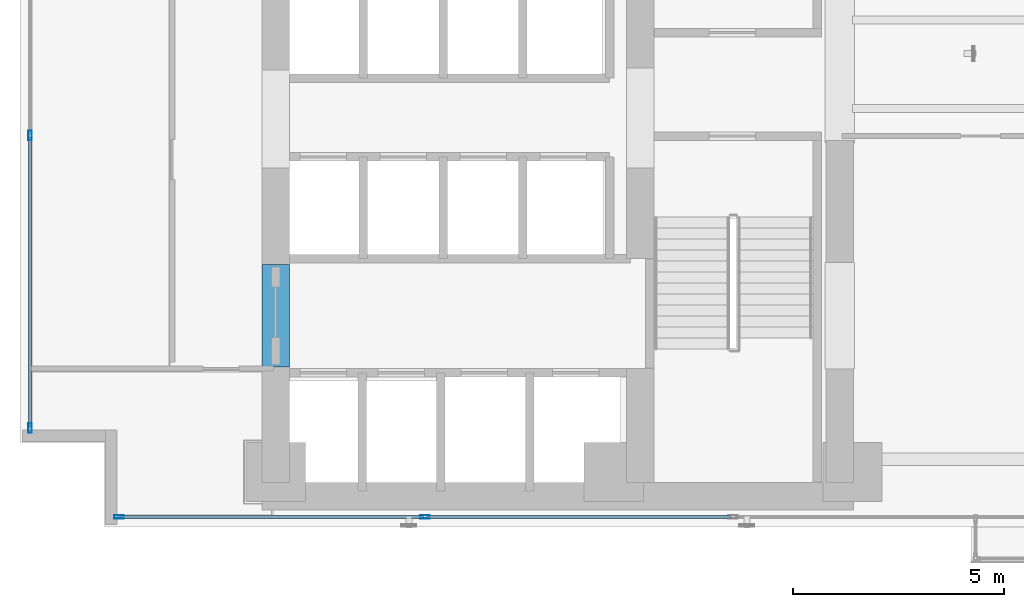
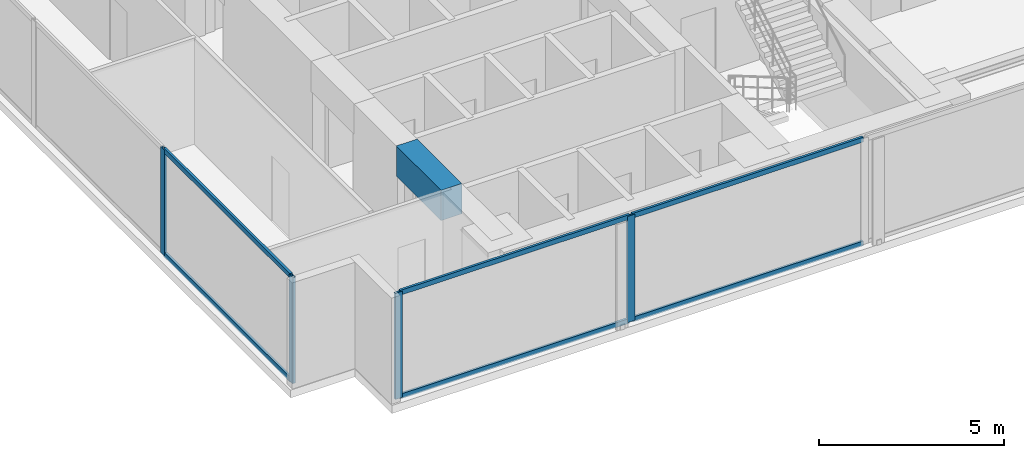
# One storey, part 2 of 25: 10 members, 1 beam, 2 elements without a shape of their own.
"""IFC4 building model written with IfcOpenShell, lengths in metres."""

from ifc_helpers import new_model, si_unit, direction, frame, origin, origin_with_axes, origin_2d, place, context, subcontext, project, spatial, rectangle, hollow_rectangle, extrude, source, transform, mapped, material, layer, layer_set, material_profile, profile_set, type_object, element, aggregate, save


model = new_model("IFC4")

# Units and contexts
model_context = context("Model", 3, precision=1e-05, world=origin(), true_north=direction((0.0, 1.0)))
body_context = subcontext(model_context, "Body", "Model", "MODEL_VIEW")
ifc_project = project(units=[si_unit("LENGTHUNIT", "METRE"), si_unit("AREAUNIT", "SQUARE_METRE"), si_unit("VOLUMEUNIT", "CUBIC_METRE"), si_unit("PLANEANGLEUNIT", "RADIAN"), si_unit("MASSUNIT", "GRAM", prefix="KILO")], contexts=[model_context])

# Site, building, storey
site_placement = place(None, origin())
site = spatial("IfcSite", under=ifc_project, at=site_placement, CompositionType="ELEMENT")
building_placement = place(site_placement, origin())
building = spatial("IfcBuilding", under=site, at=building_placement, Name="Kolvaren Waterfront Exchange", CompositionType="ELEMENT")
storey_placement = place(building_placement, frame((0.0, 0.0, 106.89990234375)))
storey = spatial("IfcBuildingStorey", under=building, at=storey_placement, Name="L27", CompositionType="ELEMENT", Elevation=106.89990234375)

# Beam
ifc_material_1 = material(Name="Concrete C60/75", Category="concrete")
ifc_material_profile_1 = material_profile(ifc_material_1, rectangle(XDim=0.64990234375, YDim=1.0, at=origin_2d()), Name="RC-CB-1000x650")
ifc_profile_set_1 = profile_set([ifc_material_profile_1], Name="Concrete C60/75")
beam_type = type_object("IfcBeamType", Name="STR-CB-1000", PredefinedType="SPANDREL", material=ifc_profile_set_1)
beam_placement = place(storey_placement, frame((7.449951171875, 7.389892578125, 3.0), z_axis=(0.0, 1.0, 0.0), x_axis=(-1.0, 0.0, 0.0)))
element("IfcBeam", 1, at=beam_placement, inside=storey, type_object=beam_type, Name="L27 core coupling beam 3", PredefinedType="SPANDREL", context=body_context, shape_type="SweptSolid", body=[
    extrude(rectangle(XDim=0.64990234375, YDim=1.0, at=origin_2d()), origin(), (0.0, 0.0, 1.0), 2.420166015625),
])

# Curtain wall, members
ifc_material_2 = material(Name="Anodised aluminium 6063-T6", Category="aluminium")
ifc_layer_1 = layer(ifc_material_2, 0.219970703125, Name="Anodised aluminium 6063-T6")
ifc_layer_set_1 = layer_set([ifc_layer_1], Name="Anodised aluminium 6063-T6")
curtain_wall_type_1 = type_object("IfcCurtainWallType", Name="ARC-CW-SYS2", PredefinedType="USERDEFINED", material=ifc_layer_set_1)
curtain_wall_1_placement = place(storey_placement, origin())
curtain_wall_1 = element("IfcCurtainWall", 2, at=curtain_wall_1_placement, inside=storey, type_object=curtain_wall_type_1, Name="L27 stick curtain wall CW2 (CW-L27-W)", ObjectType="STICK CURTAIN WALL", PredefinedType="USERDEFINED")
ifc_material_profile_2 = material_profile(ifc_material_2, hollow_rectangle(XDim=0.074951171875, YDim=0.159912109375, WallThickness=0.00439453125, at=origin_2d()), Name="ALU-TRN-160x75x4.5")
ifc_profile_set_2 = profile_set([ifc_material_profile_2], Name="Anodised aluminium 6063-T6")
member_type_1 = type_object("IfcMemberType", Name="ARC-CWT-160", PredefinedType="USERDEFINED", material=ifc_profile_set_2)
shared_shape_1 = source(origin_with_axes(), body_context, "Body", "SweptSolid", [
    extrude(hollow_rectangle(XDim=0.074951171875, YDim=0.159912109375, WallThickness=0.00439453125, at=origin_2d()), origin(), (0.0, 0.0, 1.0), 6.8466796875),
])
member_1_placement = place(storey_placement, frame((1.639892578125, 5.97998046875, 0.03759765625), z_axis=(0.0, 1.0, 0.0), x_axis=(-1.0, 0.0, 0.0)))
member_1 = element("IfcMember", 3, at=member_1_placement, type_object=member_type_1, Name="CW2 transom 1.1", ObjectType="TRANSOM", PredefinedType="USERDEFINED", context=body_context, shape_type="MappedRepresentation", body=[
    mapped(shared_shape_1, transform((0.0, 0.0, 0.0), x_axis=(1.0, 0.0, 0.0), y_axis=(0.0, 1.0, 0.0), z_axis=(0.0, 0.0, 1.0), scale=1.0)),
])
member_2_placement = place(storey_placement, frame((1.639892578125, 5.97998046875, 3.462646484375), z_axis=(0.0, 1.0, 0.0), x_axis=(-1.0, 0.0, 0.0)))
member_2 = element("IfcMember", 4, at=member_2_placement, type_object=member_type_1, Name="CW2 transom 1.2", ObjectType="TRANSOM", PredefinedType="USERDEFINED", context=body_context, shape_type="MappedRepresentation", body=[
    mapped(shared_shape_1, transform((0.0, 0.0, 0.0), x_axis=(1.0, 0.0, 0.0), y_axis=(0.0, 1.0, 0.0), z_axis=(0.0, 0.0, 1.0), scale=1.0)),
])

ifc_material_3 = material(Name="Anodised bronze aluminium 6063-T6", Category="aluminium")
ifc_layer_2 = layer(ifc_material_3, 0.219970703125, Name="Anodised bronze aluminium 6063-T6")
ifc_layer_set_2 = layer_set([ifc_layer_2], Name="Anodised bronze aluminium 6063-T6")
curtain_wall_type_2 = type_object("IfcCurtainWallType", Name="ARC-CW-SYS1", PredefinedType="USERDEFINED", material=ifc_layer_set_2)
curtain_wall_2_placement = place(storey_placement, origin())
curtain_wall_2 = element("IfcCurtainWall", 5, at=curtain_wall_2_placement, inside=storey, type_object=curtain_wall_type_2, Name="L27 stick curtain wall CW1 (CW-L27-S)", ObjectType="STICK CURTAIN WALL", PredefinedType="USERDEFINED")
shared_shape_2 = source(origin_with_axes(), body_context, "Body", "SweptSolid", [
    extrude(hollow_rectangle(XDim=0.074951171875, YDim=0.159912109375, WallThickness=0.00439453125, at=origin_2d()), origin(), (0.0, 0.0, 1.0), 7.165771484375),
])
member_3_placement = place(storey_placement, frame((3.780029296875, 3.840087890625, 0.03759765625), z_axis=(1.0, 0.0, 0.0), x_axis=(0.0, 1.0, 0.0)))
member_3 = element("IfcMember", 6, at=member_3_placement, type_object=member_type_1, Name="CW1 transom 1.1", ObjectType="TRANSOM", PredefinedType="USERDEFINED", context=body_context, shape_type="MappedRepresentation", body=[
    mapped(shared_shape_2, transform((0.0, 0.0, 0.0), x_axis=(1.0, 0.0, 0.0), y_axis=(0.0, 1.0, 0.0), z_axis=(0.0, 0.0, 1.0), scale=1.0)),
])
member_4_placement = place(storey_placement, frame((3.780029296875, 3.840087890625, 3.462646484375), z_axis=(1.0, 0.0, 0.0), x_axis=(0.0, 1.0, 0.0)))
member_4 = element("IfcMember", 7, at=member_4_placement, type_object=member_type_1, Name="CW1 transom 1.2", ObjectType="TRANSOM", PredefinedType="USERDEFINED", context=body_context, shape_type="MappedRepresentation", body=[
    mapped(shared_shape_2, transform((0.0, 0.0, 0.0), x_axis=(1.0, 0.0, 0.0), y_axis=(0.0, 1.0, 0.0), z_axis=(0.0, 0.0, 1.0), scale=1.0)),
])
shared_shape_3 = source(origin_with_axes(), body_context, "Body", "SweptSolid", [
    extrude(hollow_rectangle(XDim=0.074951171875, YDim=0.159912109375, WallThickness=0.00439453125, at=origin_2d()), origin(), (0.0, 0.0, 1.0), 7.205810546875),
])
member_5_placement = place(storey_placement, frame((11.025634765625, 3.840087890625, 0.03759765625), z_axis=(1.0, 0.0, 0.0), x_axis=(0.0, 1.0, 0.0)))
member_5 = element("IfcMember", 8, at=member_5_placement, type_object=member_type_1, Name="CW1 transom 2.1", ObjectType="TRANSOM", PredefinedType="USERDEFINED", context=body_context, shape_type="MappedRepresentation", body=[
    mapped(shared_shape_3, transform((0.0, 0.0, 0.0), x_axis=(1.0, 0.0, 0.0), y_axis=(0.0, 1.0, 0.0), z_axis=(0.0, 0.0, 1.0), scale=1.0)),
])
member_6_placement = place(storey_placement, frame((11.025634765625, 3.840087890625, 3.462646484375), z_axis=(1.0, 0.0, 0.0), x_axis=(0.0, 1.0, 0.0)))
member_6 = element("IfcMember", 9, at=member_6_placement, type_object=member_type_1, Name="CW1 transom 2.2", ObjectType="TRANSOM", PredefinedType="USERDEFINED", context=body_context, shape_type="MappedRepresentation", body=[
    mapped(shared_shape_3, transform((0.0, 0.0, 0.0), x_axis=(1.0, 0.0, 0.0), y_axis=(0.0, 1.0, 0.0), z_axis=(0.0, 0.0, 1.0), scale=1.0)),
])
ifc_material_profile_3 = material_profile(ifc_material_2, hollow_rectangle(XDim=0.080078125, YDim=0.219970703125, WallThickness=0.0048828125, at=origin_2d()), Name="ALU-MUL-220x80x5")
ifc_profile_set_3 = profile_set([ifc_material_profile_3], Name="Anodised aluminium 6063-T6")
member_type_2 = type_object("IfcMemberType", Name="ARC-CWM-220", PredefinedType="MULLION", material=ifc_profile_set_3)
shared_shape_4 = source(origin_with_axes(), body_context, "Body", "SweptSolid", [
    extrude(hollow_rectangle(XDim=0.080078125, YDim=0.219970703125, WallThickness=0.0048828125, at=origin_2d()), origin(), (0.0, 0.0, 1.0), 3.5),
])
member_7_placement = place(storey_placement, frame((3.739990234375, 3.840087890625, 0.0), z_axis=(0.0, 0.0, 1.0), x_axis=(0.0, 1.0, 0.0)))
member_7 = element("IfcMember", 10, at=member_7_placement, type_object=member_type_2, Name="CW1 mullion 1", PredefinedType="MULLION", context=body_context, shape_type="MappedRepresentation", body=[
    mapped(shared_shape_4, transform((0.0, 0.0, 0.0), x_axis=(1.0, 0.0, 0.0), y_axis=(0.0, 1.0, 0.0), z_axis=(0.0, 0.0, 1.0), scale=1.0)),
])
member_8_placement = place(storey_placement, frame((10.985595703125, 3.840087890625, 0.0), z_axis=(0.0, 0.0, 1.0), x_axis=(0.0, 1.0, 0.0)))
member_8 = element("IfcMember", 11, at=member_8_placement, type_object=member_type_2, Name="CW1 mullion 2", PredefinedType="MULLION", context=body_context, shape_type="MappedRepresentation", body=[
    mapped(shared_shape_4, transform((0.0, 0.0, 0.0), x_axis=(1.0, 0.0, 0.0), y_axis=(0.0, 1.0, 0.0), z_axis=(0.0, 0.0, 1.0), scale=1.0)),
])
aggregate(curtain_wall_2, [member_7, member_8, member_3, member_4, member_5, member_6])

# Member
member_9_placement = place(storey_placement, frame((1.639892578125, 5.93994140625, 0.0), z_axis=(0.0, 0.0, 1.0), x_axis=(-1.0, 0.0, 0.0)))
member_9 = element("IfcMember", 12, at=member_9_placement, type_object=member_type_2, Name="CW2 mullion 1", PredefinedType="MULLION", context=body_context, shape_type="MappedRepresentation", body=[
    mapped(shared_shape_4, transform((0.0, 0.0, 0.0), x_axis=(1.0, 0.0, 0.0), y_axis=(0.0, 1.0, 0.0), z_axis=(0.0, 0.0, 1.0), scale=1.0)),
])

member_10_placement = place(storey_placement, frame((1.639892578125, 12.86669921875, 0.0), z_axis=(0.0, 0.0, 1.0), x_axis=(-1.0, 0.0, 0.0)))
member_10 = element("IfcMember", 13, at=member_10_placement, type_object=member_type_2, Name="CW2 mullion 2", PredefinedType="MULLION", context=body_context, shape_type="MappedRepresentation", body=[
    mapped(shared_shape_4, transform((0.0, 0.0, 0.0), x_axis=(1.0, 0.0, 0.0), y_axis=(0.0, 1.0, 0.0), z_axis=(0.0, 0.0, 1.0), scale=1.0)),
])

aggregate(curtain_wall_1, [member_9, member_10, member_1, member_2])

save(model, "model.ifc")
